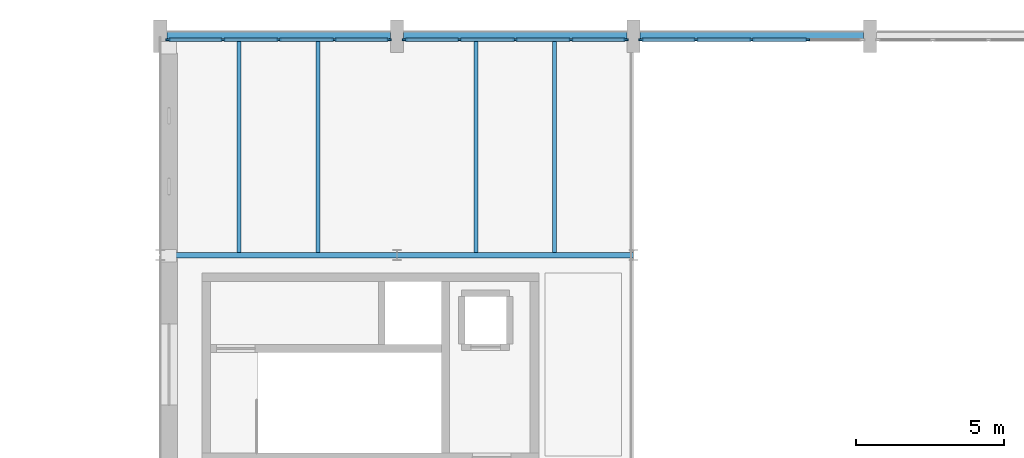
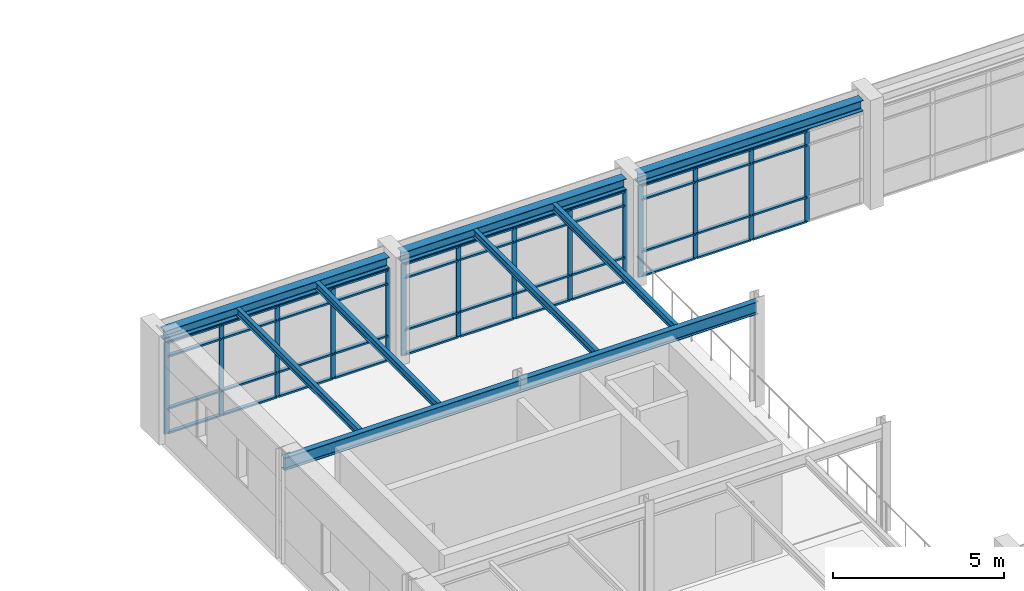
# One storey, part 20 of 45: 58 members, 9 beams, 3 elements without a shape of their own.
"""IFC4 building model written with IfcOpenShell, lengths in metres."""

from ifc_helpers import new_model, si_unit, direction, frame, origin, origin_2d, place, context, subcontext, project, spatial, rectangle, i_section, extrude, material, layer, layer_set, material_profile, profile_set, type_object, element, aggregate, save


model = new_model("IFC4")

# Units and contexts
model_context = context("Model", 3, precision=1e-05, world=origin(), true_north=direction((0.0, 1.0)))
body_context = subcontext(model_context, "Body", "Model", "MODEL_VIEW")
ifc_project = project(units=[si_unit("LENGTHUNIT", "METRE"), si_unit("AREAUNIT", "SQUARE_METRE"), si_unit("VOLUMEUNIT", "CUBIC_METRE"), si_unit("PLANEANGLEUNIT", "RADIAN"), si_unit("MASSUNIT", "GRAM", prefix="KILO")], contexts=[model_context])

# Site, building, storey
site_placement = place(None, origin())
site = spatial("IfcSite", under=ifc_project, at=site_placement, CompositionType="ELEMENT")
building_placement = place(site_placement, origin())
building = spatial("IfcBuilding", under=site, at=building_placement, Name="Valkorina Park Police Headquarters", CompositionType="ELEMENT")
storey_placement = place(building_placement, frame((0.0, 0.0, 23.300048828125)))
storey = spatial("IfcBuildingStorey", under=building, at=storey_placement, Name="L06", CompositionType="ELEMENT", Elevation=23.300048828125)

# Beams
ifc_material_1 = material(Name="Steel S355", Category="steel")
ifc_material_profile_1 = material_profile(ifc_material_1, i_section(OverallWidth=0.300048828125, OverallDepth=0.389892578125, WebThickness=0.010986328125, FlangeThickness=0.01904296875, FilletRadius=0.027099609375, at=origin_2d()), Name="HEA 400")
ifc_profile_set_1 = profile_set([ifc_material_profile_1], Name="Steel S355")
beam_type_1 = type_object("IfcBeamType", Name="BM-S355-HEA400-SPN", PredefinedType="SPANDREL", material=ifc_profile_set_1)
for number, where, z_axis, x_axis, name in (
    (1, (81.02490234375, 81.39990234375, 3.48486328125), (1.0, 0.0, 0.0), (0.0, 1.0, 0.0), "L06 Framing Beam 2649"),
    (2, (89.02490234375, 81.39990234375, 3.48486328125), (1.0, 0.0, 0.0), (0.0, 1.0, 0.0), "L06 Framing Beam 2650"),
    (3, (97.02490234375, 81.39990234375, 3.48486328125), (1.0, 0.0, 0.0), (0.0, 1.0, 0.0), "L06 Framing Beam 2651"),
):
    element("IfcBeam", number, at=place(storey_placement, frame(where, z_axis=z_axis, x_axis=x_axis)), inside=storey, type_object=beam_type_1, Name=name, PredefinedType="SPANDREL", context=body_context, shape_type="SweptSolid", body=[
        extrude(i_section(OverallWidth=0.300048828125, OverallDepth=0.389892578125, WebThickness=0.010986328125, FlangeThickness=0.01904296875, FilletRadius=0.027099609375, at=origin_2d()), origin(), (0.0, 0.0, 1.0), 7.550048828125),
    ])
ifc_material_profile_2 = material_profile(ifc_material_1, i_section(OverallWidth=0.135009765625, OverallDepth=0.27001953125, WebThickness=0.006591796875, FlangeThickness=0.01025390625, FilletRadius=0.014892578125, at=origin_2d()), Name="IPE 270")
ifc_profile_set_2 = profile_set([ifc_material_profile_2], Name="Steel S355")
beam_type_2 = type_object("IfcBeamType", Name="BM-S355-IPE270-JST", PredefinedType="JOIST", material=ifc_profile_set_2)
for number, where, z_axis, x_axis, name in (
    (4, (83.466796875, 74.094970703125, 3.544921875), (0.0, 1.0, 0.0), (-1.0, 0.0, 0.0), "L06 Framing Beam 2706"),
    (5, (86.13330078125, 74.094970703125, 3.544921875), (0.0, 1.0, 0.0), (-1.0, 0.0, 0.0), "L06 Framing Beam 2707"),
    (6, (91.466796875, 74.094970703125, 3.544921875), (0.0, 1.0, 0.0), (-1.0, 0.0, 0.0), "L06 Framing Beam 2719"),
    (7, (94.13330078125, 74.094970703125, 3.544921875), (0.0, 1.0, 0.0), (-1.0, 0.0, 0.0), "L06 Framing Beam 2720"),
):
    element("IfcBeam", number, at=place(storey_placement, frame(where, z_axis=z_axis, x_axis=x_axis)), inside=storey, type_object=beam_type_2, Name=name, PredefinedType="JOIST", context=body_context, shape_type="SweptSolid", body=[
        extrude(i_section(OverallWidth=0.135009765625, OverallDepth=0.27001953125, WebThickness=0.006591796875, FlangeThickness=0.01025390625, FilletRadius=0.014892578125, at=origin_2d()), origin(), (0.0, 0.0, 1.0), 7.155029296875),
    ])
ifc_material_profile_3 = material_profile(ifc_material_1, i_section(OverallWidth=0.18994140625, OverallDepth=0.449951171875, WebThickness=0.009521484375, FlangeThickness=0.0146484375, FilletRadius=0.02099609375, at=origin_2d()), Name="IPE 450")
ifc_profile_set_3 = profile_set([ifc_material_profile_3], Name="Steel S355")
beam_type_3 = type_object("IfcBeamType", Name="BM-S355-IPE450-BM", PredefinedType="BEAM", material=ifc_profile_set_3)
for number, where, z_axis, x_axis, name in (
    (8, (80.806396484375, 74.0, 3.454833984375), (1.0, 0.0, 0.0), (0.0, 1.0, 0.0), "L06 Framing Beam 2647"),
    (9, (88.806396484375, 74.0, 3.454833984375), (1.0, 0.0, 0.0), (0.0, 1.0, 0.0), "L06 Framing Beam 2648"),
):
    element("IfcBeam", number, at=place(storey_placement, frame(where, z_axis=z_axis, x_axis=x_axis)), inside=storey, type_object=beam_type_3, Name=name, PredefinedType="BEAM", context=body_context, shape_type="SweptSolid", body=[
        extrude(i_section(OverallWidth=0.18994140625, OverallDepth=0.449951171875, WebThickness=0.009521484375, FlangeThickness=0.0146484375, FilletRadius=0.02099609375, at=origin_2d()), origin(), (0.0, 0.0, 1.0), 7.9873046875),
    ])

# Curtain wall, members
ifc_material_2 = material(Name="Thermally broken aluminium AW-6060", Category="aluminium")
ifc_layer = layer(ifc_material_2, 0.18994140625)
ifc_layer_set = layer_set([ifc_layer], Name="Thermally broken aluminium AW-6060")
curtain_wall_type = type_object("IfcCurtainWallType", Name="CW-CMD-7530x3280", PredefinedType="NOTDEFINED", material=ifc_layer_set)
curtain_wall_1_placement = place(storey_placement, origin())
curtain_wall_1 = element("IfcCurtainWall", 10, at=curtain_wall_1_placement, inside=storey, type_object=curtain_wall_type, Name="L06 Unitised Curtain Wall 110", PredefinedType="NOTDEFINED")
ifc_material_profile_4 = material_profile(ifc_material_2, rectangle(XDim=0.06005859375, YDim=0.159912109375, at=origin_2d()), Name="CWM-01 60x160")
ifc_profile_set_4 = profile_set([ifc_material_profile_4], Name="Thermally broken aluminium AW-6060")
member_type_1 = type_object("IfcMemberType", Name="CWM-60x160", PredefinedType="MULLION", material=ifc_profile_set_4)
member_1_placement = place(storey_placement, frame((81.06494140625, 81.280029296875, 0.0), z_axis=(0.0, 0.0, 1.0), x_axis=(0.0, 1.0, 0.0)))
member_1 = element("IfcMember", 11, at=member_1_placement, type_object=member_type_1, Name="CW-CMD-753-328 mullion 1", PredefinedType="MULLION", context=body_context, shape_type="SweptSolid", body=[
    extrude(rectangle(XDim=0.06005859375, YDim=0.159912109375, at=origin_2d()), origin(), (0.0, 0.0, 1.0), 3.280029296875),
])
member_2_placement = place(storey_placement, frame((82.91748046875, 81.280029296875, 0.0), z_axis=(0.0, 0.0, 1.0), x_axis=(0.0, 1.0, 0.0)))
member_2 = element("IfcMember", 12, at=member_2_placement, type_object=member_type_1, Name="CW-CMD-753-328 mullion 2", PredefinedType="MULLION", context=body_context, shape_type="SweptSolid", body=[
    extrude(rectangle(XDim=0.06005859375, YDim=0.159912109375, at=origin_2d()), origin(), (0.0, 0.0, 1.0), 3.280029296875),
])
member_3_placement = place(storey_placement, frame((84.800048828125, 81.280029296875, 0.0), z_axis=(0.0, 0.0, 1.0), x_axis=(0.0, 1.0, 0.0)))
member_3 = element("IfcMember", 13, at=member_3_placement, type_object=member_type_1, Name="CW-CMD-753-328 mullion 3", PredefinedType="MULLION", context=body_context, shape_type="SweptSolid", body=[
    extrude(rectangle(XDim=0.06005859375, YDim=0.159912109375, at=origin_2d()), origin(), (0.0, 0.0, 1.0), 3.280029296875),
])
member_4_placement = place(storey_placement, frame((86.6826171875, 81.280029296875, 0.0), z_axis=(0.0, 0.0, 1.0), x_axis=(0.0, 1.0, 0.0)))
member_4 = element("IfcMember", 14, at=member_4_placement, type_object=member_type_1, Name="CW-CMD-753-328 mullion 4", PredefinedType="MULLION", context=body_context, shape_type="SweptSolid", body=[
    extrude(rectangle(XDim=0.06005859375, YDim=0.159912109375, at=origin_2d()), origin(), (0.0, 0.0, 1.0), 3.280029296875),
])
member_5_placement = place(storey_placement, frame((88.534912109375, 81.280029296875, 0.0), z_axis=(0.0, 0.0, 1.0), x_axis=(0.0, 1.0, 0.0)))
member_5 = element("IfcMember", 15, at=member_5_placement, type_object=member_type_1, Name="CW-CMD-753-328 mullion 5", PredefinedType="MULLION", context=body_context, shape_type="SweptSolid", body=[
    extrude(rectangle(XDim=0.06005859375, YDim=0.159912109375, at=origin_2d()), origin(), (0.0, 0.0, 1.0), 3.280029296875),
])

curtain_wall_2_placement = place(storey_placement, origin())
curtain_wall_2 = element("IfcCurtainWall", 16, at=curtain_wall_2_placement, inside=storey, type_object=curtain_wall_type, Name="L06 Unitised Curtain Wall 111", PredefinedType="NOTDEFINED")
member_6_placement = place(storey_placement, frame((89.06494140625, 81.280029296875, 0.0), z_axis=(0.0, 0.0, 1.0), x_axis=(0.0, 1.0, 0.0)))
member_6 = element("IfcMember", 17, at=member_6_placement, type_object=member_type_1, Name="CW-CMD-753-328 mullion 1", PredefinedType="MULLION", context=body_context, shape_type="SweptSolid", body=[
    extrude(rectangle(XDim=0.06005859375, YDim=0.159912109375, at=origin_2d()), origin(), (0.0, 0.0, 1.0), 3.280029296875),
])
member_7_placement = place(storey_placement, frame((90.91748046875, 81.280029296875, 0.0), z_axis=(0.0, 0.0, 1.0), x_axis=(0.0, 1.0, 0.0)))
member_7 = element("IfcMember", 18, at=member_7_placement, type_object=member_type_1, Name="CW-CMD-753-328 mullion 2", PredefinedType="MULLION", context=body_context, shape_type="SweptSolid", body=[
    extrude(rectangle(XDim=0.06005859375, YDim=0.159912109375, at=origin_2d()), origin(), (0.0, 0.0, 1.0), 3.280029296875),
])
member_8_placement = place(storey_placement, frame((92.800048828125, 81.280029296875, 0.0), z_axis=(0.0, 0.0, 1.0), x_axis=(0.0, 1.0, 0.0)))
member_8 = element("IfcMember", 19, at=member_8_placement, type_object=member_type_1, Name="CW-CMD-753-328 mullion 3", PredefinedType="MULLION", context=body_context, shape_type="SweptSolid", body=[
    extrude(rectangle(XDim=0.06005859375, YDim=0.159912109375, at=origin_2d()), origin(), (0.0, 0.0, 1.0), 3.280029296875),
])
member_9_placement = place(storey_placement, frame((94.6826171875, 81.280029296875, 0.0), z_axis=(0.0, 0.0, 1.0), x_axis=(0.0, 1.0, 0.0)))
member_9 = element("IfcMember", 20, at=member_9_placement, type_object=member_type_1, Name="CW-CMD-753-328 mullion 4", PredefinedType="MULLION", context=body_context, shape_type="SweptSolid", body=[
    extrude(rectangle(XDim=0.06005859375, YDim=0.159912109375, at=origin_2d()), origin(), (0.0, 0.0, 1.0), 3.280029296875),
])
member_10_placement = place(storey_placement, frame((96.534912109375, 81.280029296875, 0.0), z_axis=(0.0, 0.0, 1.0), x_axis=(0.0, 1.0, 0.0)))
member_10 = element("IfcMember", 21, at=member_10_placement, type_object=member_type_1, Name="CW-CMD-753-328 mullion 5", PredefinedType="MULLION", context=body_context, shape_type="SweptSolid", body=[
    extrude(rectangle(XDim=0.06005859375, YDim=0.159912109375, at=origin_2d()), origin(), (0.0, 0.0, 1.0), 3.280029296875),
])

curtain_wall_3_placement = place(storey_placement, origin())
curtain_wall_3 = element("IfcCurtainWall", 22, at=curtain_wall_3_placement, inside=storey, type_object=curtain_wall_type, Name="L06 Unitised Curtain Wall 112", PredefinedType="NOTDEFINED")
member_11_placement = place(storey_placement, frame((97.06494140625, 81.280029296875, 0.0), z_axis=(0.0, 0.0, 1.0), x_axis=(0.0, 1.0, 0.0)))
member_11 = element("IfcMember", 23, at=member_11_placement, type_object=member_type_1, Name="CW-CMD-753-328 mullion 1", PredefinedType="MULLION", context=body_context, shape_type="SweptSolid", body=[
    extrude(rectangle(XDim=0.06005859375, YDim=0.159912109375, at=origin_2d()), origin(), (0.0, 0.0, 1.0), 3.280029296875),
])
member_12_placement = place(storey_placement, frame((98.91748046875, 81.280029296875, 0.0), z_axis=(0.0, 0.0, 1.0), x_axis=(0.0, 1.0, 0.0)))
member_12 = element("IfcMember", 24, at=member_12_placement, type_object=member_type_1, Name="CW-CMD-753-328 mullion 2", PredefinedType="MULLION", context=body_context, shape_type="SweptSolid", body=[
    extrude(rectangle(XDim=0.06005859375, YDim=0.159912109375, at=origin_2d()), origin(), (0.0, 0.0, 1.0), 3.280029296875),
])
member_13_placement = place(storey_placement, frame((100.800048828125, 81.280029296875, 0.0), z_axis=(0.0, 0.0, 1.0), x_axis=(0.0, 1.0, 0.0)))
member_13 = element("IfcMember", 25, at=member_13_placement, type_object=member_type_1, Name="CW-CMD-753-328 mullion 3", PredefinedType="MULLION", context=body_context, shape_type="SweptSolid", body=[
    extrude(rectangle(XDim=0.06005859375, YDim=0.159912109375, at=origin_2d()), origin(), (0.0, 0.0, 1.0), 3.280029296875),
])
member_14_placement = place(storey_placement, frame((102.6826171875, 81.280029296875, 0.0), z_axis=(0.0, 0.0, 1.0), x_axis=(0.0, 1.0, 0.0)))
member_14 = element("IfcMember", 26, at=member_14_placement, type_object=member_type_1, Name="CW-CMD-753-328 mullion 4", PredefinedType="MULLION", context=body_context, shape_type="SweptSolid", body=[
    extrude(rectangle(XDim=0.06005859375, YDim=0.159912109375, at=origin_2d()), origin(), (0.0, 0.0, 1.0), 3.280029296875),
])

# Member
ifc_material_profile_5 = material_profile(ifc_material_2, rectangle(XDim=0.1201171875, YDim=0.06005859375, at=origin_2d()), Name="CWT-01 120x60")
ifc_profile_set_5 = profile_set([ifc_material_profile_5], Name="Thermally broken aluminium AW-6060")
member_type_2 = type_object("IfcMemberType", Name="CWT-120x60", PredefinedType="USERDEFINED", material=ifc_profile_set_5)
member_15_placement = place(storey_placement, frame((81.094970703125, 81.280029296875, 0.030029296875), z_axis=(1.0, 0.0, 0.0), x_axis=(0.0, 1.0, 0.0)))
member_15 = element("IfcMember", 27, at=member_15_placement, type_object=member_type_2, Name="CW-CMD-753-328 transom 1.1", ObjectType="TRANSOM", PredefinedType="USERDEFINED", context=body_context, shape_type="SweptSolid", body=[
    extrude(rectangle(XDim=0.1201171875, YDim=0.06005859375, at=origin_2d()), origin(), (0.0, 0.0, 1.0), 1.79248046875),
])

member_16_placement = place(storey_placement, frame((81.094970703125, 81.280029296875, 0.89990234375), z_axis=(1.0, 0.0, 0.0), x_axis=(0.0, 1.0, 0.0)))
member_16 = element("IfcMember", 28, at=member_16_placement, type_object=member_type_2, Name="CW-CMD-753-328 transom 1.2", ObjectType="TRANSOM", PredefinedType="USERDEFINED", context=body_context, shape_type="SweptSolid", body=[
    extrude(rectangle(XDim=0.1201171875, YDim=0.06005859375, at=origin_2d()), origin(), (0.0, 0.0, 1.0), 1.79248046875),
])

member_17_placement = place(storey_placement, frame((81.094970703125, 81.280029296875, 2.760009765625), z_axis=(1.0, 0.0, 0.0), x_axis=(0.0, 1.0, 0.0)))
member_17 = element("IfcMember", 29, at=member_17_placement, type_object=member_type_2, Name="CW-CMD-753-328 transom 1.3", ObjectType="TRANSOM", PredefinedType="USERDEFINED", context=body_context, shape_type="SweptSolid", body=[
    extrude(rectangle(XDim=0.1201171875, YDim=0.06005859375, at=origin_2d()), origin(), (0.0, 0.0, 1.0), 1.79248046875),
])

member_18_placement = place(storey_placement, frame((81.094970703125, 81.280029296875, 3.25), z_axis=(1.0, 0.0, 0.0), x_axis=(0.0, 1.0, 0.0)))
member_18 = element("IfcMember", 30, at=member_18_placement, type_object=member_type_2, Name="CW-CMD-753-328 transom 1.4", ObjectType="TRANSOM", PredefinedType="USERDEFINED", context=body_context, shape_type="SweptSolid", body=[
    extrude(rectangle(XDim=0.1201171875, YDim=0.06005859375, at=origin_2d()), origin(), (0.0, 0.0, 1.0), 1.79248046875),
])

member_19_placement = place(storey_placement, frame((82.947509765625, 81.280029296875, 0.030029296875), z_axis=(1.0, 0.0, 0.0), x_axis=(0.0, 1.0, 0.0)))
member_19 = element("IfcMember", 31, at=member_19_placement, type_object=member_type_2, Name="CW-CMD-753-328 transom 2.1", ObjectType="TRANSOM", PredefinedType="USERDEFINED", context=body_context, shape_type="SweptSolid", body=[
    extrude(rectangle(XDim=0.1201171875, YDim=0.06005859375, at=origin_2d()), origin(), (0.0, 0.0, 1.0), 1.822509765625),
])

member_20_placement = place(storey_placement, frame((82.947509765625, 81.280029296875, 0.89990234375), z_axis=(1.0, 0.0, 0.0), x_axis=(0.0, 1.0, 0.0)))
member_20 = element("IfcMember", 32, at=member_20_placement, type_object=member_type_2, Name="CW-CMD-753-328 transom 2.2", ObjectType="TRANSOM", PredefinedType="USERDEFINED", context=body_context, shape_type="SweptSolid", body=[
    extrude(rectangle(XDim=0.1201171875, YDim=0.06005859375, at=origin_2d()), origin(), (0.0, 0.0, 1.0), 1.822509765625),
])

member_21_placement = place(storey_placement, frame((82.947509765625, 81.280029296875, 2.760009765625), z_axis=(1.0, 0.0, 0.0), x_axis=(0.0, 1.0, 0.0)))
member_21 = element("IfcMember", 33, at=member_21_placement, type_object=member_type_2, Name="CW-CMD-753-328 transom 2.3", ObjectType="TRANSOM", PredefinedType="USERDEFINED", context=body_context, shape_type="SweptSolid", body=[
    extrude(rectangle(XDim=0.1201171875, YDim=0.06005859375, at=origin_2d()), origin(), (0.0, 0.0, 1.0), 1.822509765625),
])

member_22_placement = place(storey_placement, frame((82.947509765625, 81.280029296875, 3.25), z_axis=(1.0, 0.0, 0.0), x_axis=(0.0, 1.0, 0.0)))
member_22 = element("IfcMember", 34, at=member_22_placement, type_object=member_type_2, Name="CW-CMD-753-328 transom 2.4", ObjectType="TRANSOM", PredefinedType="USERDEFINED", context=body_context, shape_type="SweptSolid", body=[
    extrude(rectangle(XDim=0.1201171875, YDim=0.06005859375, at=origin_2d()), origin(), (0.0, 0.0, 1.0), 1.822509765625),
])

member_23_placement = place(storey_placement, frame((84.830078125, 81.280029296875, 0.030029296875), z_axis=(1.0, 0.0, 0.0), x_axis=(0.0, 1.0, 0.0)))
member_23 = element("IfcMember", 35, at=member_23_placement, type_object=member_type_2, Name="CW-CMD-753-328 transom 3.1", ObjectType="TRANSOM", PredefinedType="USERDEFINED", context=body_context, shape_type="SweptSolid", body=[
    extrude(rectangle(XDim=0.1201171875, YDim=0.06005859375, at=origin_2d()), origin(), (0.0, 0.0, 1.0), 1.822509765625),
])

member_24_placement = place(storey_placement, frame((84.830078125, 81.280029296875, 0.89990234375), z_axis=(1.0, 0.0, 0.0), x_axis=(0.0, 1.0, 0.0)))
member_24 = element("IfcMember", 36, at=member_24_placement, type_object=member_type_2, Name="CW-CMD-753-328 transom 3.2", ObjectType="TRANSOM", PredefinedType="USERDEFINED", context=body_context, shape_type="SweptSolid", body=[
    extrude(rectangle(XDim=0.1201171875, YDim=0.06005859375, at=origin_2d()), origin(), (0.0, 0.0, 1.0), 1.822509765625),
])

member_25_placement = place(storey_placement, frame((84.830078125, 81.280029296875, 2.760009765625), z_axis=(1.0, 0.0, 0.0), x_axis=(0.0, 1.0, 0.0)))
member_25 = element("IfcMember", 37, at=member_25_placement, type_object=member_type_2, Name="CW-CMD-753-328 transom 3.3", ObjectType="TRANSOM", PredefinedType="USERDEFINED", context=body_context, shape_type="SweptSolid", body=[
    extrude(rectangle(XDim=0.1201171875, YDim=0.06005859375, at=origin_2d()), origin(), (0.0, 0.0, 1.0), 1.822509765625),
])

member_26_placement = place(storey_placement, frame((84.830078125, 81.280029296875, 3.25), z_axis=(1.0, 0.0, 0.0), x_axis=(0.0, 1.0, 0.0)))
member_26 = element("IfcMember", 38, at=member_26_placement, type_object=member_type_2, Name="CW-CMD-753-328 transom 3.4", ObjectType="TRANSOM", PredefinedType="USERDEFINED", context=body_context, shape_type="SweptSolid", body=[
    extrude(rectangle(XDim=0.1201171875, YDim=0.06005859375, at=origin_2d()), origin(), (0.0, 0.0, 1.0), 1.822509765625),
])

member_27_placement = place(storey_placement, frame((86.71240234375, 81.280029296875, 0.030029296875), z_axis=(1.0, 0.0, 0.0), x_axis=(0.0, 1.0, 0.0)))
member_27 = element("IfcMember", 39, at=member_27_placement, type_object=member_type_2, Name="CW-CMD-753-328 transom 4.1", ObjectType="TRANSOM", PredefinedType="USERDEFINED", context=body_context, shape_type="SweptSolid", body=[
    extrude(rectangle(XDim=0.1201171875, YDim=0.06005859375, at=origin_2d()), origin(), (0.0, 0.0, 1.0), 1.79248046875),
])

member_28_placement = place(storey_placement, frame((86.71240234375, 81.280029296875, 0.89990234375), z_axis=(1.0, 0.0, 0.0), x_axis=(0.0, 1.0, 0.0)))
member_28 = element("IfcMember", 40, at=member_28_placement, type_object=member_type_2, Name="CW-CMD-753-328 transom 4.2", ObjectType="TRANSOM", PredefinedType="USERDEFINED", context=body_context, shape_type="SweptSolid", body=[
    extrude(rectangle(XDim=0.1201171875, YDim=0.06005859375, at=origin_2d()), origin(), (0.0, 0.0, 1.0), 1.79248046875),
])

member_29_placement = place(storey_placement, frame((86.71240234375, 81.280029296875, 2.760009765625), z_axis=(1.0, 0.0, 0.0), x_axis=(0.0, 1.0, 0.0)))
member_29 = element("IfcMember", 41, at=member_29_placement, type_object=member_type_2, Name="CW-CMD-753-328 transom 4.3", ObjectType="TRANSOM", PredefinedType="USERDEFINED", context=body_context, shape_type="SweptSolid", body=[
    extrude(rectangle(XDim=0.1201171875, YDim=0.06005859375, at=origin_2d()), origin(), (0.0, 0.0, 1.0), 1.79248046875),
])

member_30_placement = place(storey_placement, frame((86.71240234375, 81.280029296875, 3.25), z_axis=(1.0, 0.0, 0.0), x_axis=(0.0, 1.0, 0.0)))
member_30 = element("IfcMember", 42, at=member_30_placement, type_object=member_type_2, Name="CW-CMD-753-328 transom 4.4", ObjectType="TRANSOM", PredefinedType="USERDEFINED", context=body_context, shape_type="SweptSolid", body=[
    extrude(rectangle(XDim=0.1201171875, YDim=0.06005859375, at=origin_2d()), origin(), (0.0, 0.0, 1.0), 1.79248046875),
])

aggregate(curtain_wall_1, [member_1, member_2, member_3, member_4, member_5, member_15, member_16, member_17, member_18, member_19, member_20, member_21, member_22, member_23, member_24, member_25, member_26, member_27, member_28, member_29, member_30])

member_31_placement = place(storey_placement, frame((89.094970703125, 81.280029296875, 0.030029296875), z_axis=(1.0, 0.0, 0.0), x_axis=(0.0, 1.0, 0.0)))
member_31 = element("IfcMember", 43, at=member_31_placement, type_object=member_type_2, Name="CW-CMD-753-328 transom 1.1", ObjectType="TRANSOM", PredefinedType="USERDEFINED", context=body_context, shape_type="SweptSolid", body=[
    extrude(rectangle(XDim=0.1201171875, YDim=0.06005859375, at=origin_2d()), origin(), (0.0, 0.0, 1.0), 1.79248046875),
])

member_32_placement = place(storey_placement, frame((89.094970703125, 81.280029296875, 0.89990234375), z_axis=(1.0, 0.0, 0.0), x_axis=(0.0, 1.0, 0.0)))
member_32 = element("IfcMember", 44, at=member_32_placement, type_object=member_type_2, Name="CW-CMD-753-328 transom 1.2", ObjectType="TRANSOM", PredefinedType="USERDEFINED", context=body_context, shape_type="SweptSolid", body=[
    extrude(rectangle(XDim=0.1201171875, YDim=0.06005859375, at=origin_2d()), origin(), (0.0, 0.0, 1.0), 1.79248046875),
])

member_33_placement = place(storey_placement, frame((89.094970703125, 81.280029296875, 2.760009765625), z_axis=(1.0, 0.0, 0.0), x_axis=(0.0, 1.0, 0.0)))
member_33 = element("IfcMember", 45, at=member_33_placement, type_object=member_type_2, Name="CW-CMD-753-328 transom 1.3", ObjectType="TRANSOM", PredefinedType="USERDEFINED", context=body_context, shape_type="SweptSolid", body=[
    extrude(rectangle(XDim=0.1201171875, YDim=0.06005859375, at=origin_2d()), origin(), (0.0, 0.0, 1.0), 1.79248046875),
])

member_34_placement = place(storey_placement, frame((89.094970703125, 81.280029296875, 3.25), z_axis=(1.0, 0.0, 0.0), x_axis=(0.0, 1.0, 0.0)))
member_34 = element("IfcMember", 46, at=member_34_placement, type_object=member_type_2, Name="CW-CMD-753-328 transom 1.4", ObjectType="TRANSOM", PredefinedType="USERDEFINED", context=body_context, shape_type="SweptSolid", body=[
    extrude(rectangle(XDim=0.1201171875, YDim=0.06005859375, at=origin_2d()), origin(), (0.0, 0.0, 1.0), 1.79248046875),
])

member_35_placement = place(storey_placement, frame((90.947509765625, 81.280029296875, 0.030029296875), z_axis=(1.0, 0.0, 0.0), x_axis=(0.0, 1.0, 0.0)))
member_35 = element("IfcMember", 47, at=member_35_placement, type_object=member_type_2, Name="CW-CMD-753-328 transom 2.1", ObjectType="TRANSOM", PredefinedType="USERDEFINED", context=body_context, shape_type="SweptSolid", body=[
    extrude(rectangle(XDim=0.1201171875, YDim=0.06005859375, at=origin_2d()), origin(), (0.0, 0.0, 1.0), 1.822509765625),
])

member_36_placement = place(storey_placement, frame((90.947509765625, 81.280029296875, 0.89990234375), z_axis=(1.0, 0.0, 0.0), x_axis=(0.0, 1.0, 0.0)))
member_36 = element("IfcMember", 48, at=member_36_placement, type_object=member_type_2, Name="CW-CMD-753-328 transom 2.2", ObjectType="TRANSOM", PredefinedType="USERDEFINED", context=body_context, shape_type="SweptSolid", body=[
    extrude(rectangle(XDim=0.1201171875, YDim=0.06005859375, at=origin_2d()), origin(), (0.0, 0.0, 1.0), 1.822509765625),
])

member_37_placement = place(storey_placement, frame((90.947509765625, 81.280029296875, 2.760009765625), z_axis=(1.0, 0.0, 0.0), x_axis=(0.0, 1.0, 0.0)))
member_37 = element("IfcMember", 49, at=member_37_placement, type_object=member_type_2, Name="CW-CMD-753-328 transom 2.3", ObjectType="TRANSOM", PredefinedType="USERDEFINED", context=body_context, shape_type="SweptSolid", body=[
    extrude(rectangle(XDim=0.1201171875, YDim=0.06005859375, at=origin_2d()), origin(), (0.0, 0.0, 1.0), 1.822509765625),
])

member_38_placement = place(storey_placement, frame((90.947509765625, 81.280029296875, 3.25), z_axis=(1.0, 0.0, 0.0), x_axis=(0.0, 1.0, 0.0)))
member_38 = element("IfcMember", 50, at=member_38_placement, type_object=member_type_2, Name="CW-CMD-753-328 transom 2.4", ObjectType="TRANSOM", PredefinedType="USERDEFINED", context=body_context, shape_type="SweptSolid", body=[
    extrude(rectangle(XDim=0.1201171875, YDim=0.06005859375, at=origin_2d()), origin(), (0.0, 0.0, 1.0), 1.822509765625),
])

member_39_placement = place(storey_placement, frame((92.830078125, 81.280029296875, 0.030029296875), z_axis=(1.0, 0.0, 0.0), x_axis=(0.0, 1.0, 0.0)))
member_39 = element("IfcMember", 51, at=member_39_placement, type_object=member_type_2, Name="CW-CMD-753-328 transom 3.1", ObjectType="TRANSOM", PredefinedType="USERDEFINED", context=body_context, shape_type="SweptSolid", body=[
    extrude(rectangle(XDim=0.1201171875, YDim=0.06005859375, at=origin_2d()), origin(), (0.0, 0.0, 1.0), 1.822509765625),
])

member_40_placement = place(storey_placement, frame((92.830078125, 81.280029296875, 0.89990234375), z_axis=(1.0, 0.0, 0.0), x_axis=(0.0, 1.0, 0.0)))
member_40 = element("IfcMember", 52, at=member_40_placement, type_object=member_type_2, Name="CW-CMD-753-328 transom 3.2", ObjectType="TRANSOM", PredefinedType="USERDEFINED", context=body_context, shape_type="SweptSolid", body=[
    extrude(rectangle(XDim=0.1201171875, YDim=0.06005859375, at=origin_2d()), origin(), (0.0, 0.0, 1.0), 1.822509765625),
])

member_41_placement = place(storey_placement, frame((92.830078125, 81.280029296875, 2.760009765625), z_axis=(1.0, 0.0, 0.0), x_axis=(0.0, 1.0, 0.0)))
member_41 = element("IfcMember", 53, at=member_41_placement, type_object=member_type_2, Name="CW-CMD-753-328 transom 3.3", ObjectType="TRANSOM", PredefinedType="USERDEFINED", context=body_context, shape_type="SweptSolid", body=[
    extrude(rectangle(XDim=0.1201171875, YDim=0.06005859375, at=origin_2d()), origin(), (0.0, 0.0, 1.0), 1.822509765625),
])

member_42_placement = place(storey_placement, frame((92.830078125, 81.280029296875, 3.25), z_axis=(1.0, 0.0, 0.0), x_axis=(0.0, 1.0, 0.0)))
member_42 = element("IfcMember", 54, at=member_42_placement, type_object=member_type_2, Name="CW-CMD-753-328 transom 3.4", ObjectType="TRANSOM", PredefinedType="USERDEFINED", context=body_context, shape_type="SweptSolid", body=[
    extrude(rectangle(XDim=0.1201171875, YDim=0.06005859375, at=origin_2d()), origin(), (0.0, 0.0, 1.0), 1.822509765625),
])

member_43_placement = place(storey_placement, frame((94.71240234375, 81.280029296875, 0.030029296875), z_axis=(1.0, 0.0, 0.0), x_axis=(0.0, 1.0, 0.0)))
member_43 = element("IfcMember", 55, at=member_43_placement, type_object=member_type_2, Name="CW-CMD-753-328 transom 4.1", ObjectType="TRANSOM", PredefinedType="USERDEFINED", context=body_context, shape_type="SweptSolid", body=[
    extrude(rectangle(XDim=0.1201171875, YDim=0.06005859375, at=origin_2d()), origin(), (0.0, 0.0, 1.0), 1.79248046875),
])

member_44_placement = place(storey_placement, frame((94.71240234375, 81.280029296875, 0.89990234375), z_axis=(1.0, 0.0, 0.0), x_axis=(0.0, 1.0, 0.0)))
member_44 = element("IfcMember", 56, at=member_44_placement, type_object=member_type_2, Name="CW-CMD-753-328 transom 4.2", ObjectType="TRANSOM", PredefinedType="USERDEFINED", context=body_context, shape_type="SweptSolid", body=[
    extrude(rectangle(XDim=0.1201171875, YDim=0.06005859375, at=origin_2d()), origin(), (0.0, 0.0, 1.0), 1.79248046875),
])

member_45_placement = place(storey_placement, frame((94.71240234375, 81.280029296875, 2.760009765625), z_axis=(1.0, 0.0, 0.0), x_axis=(0.0, 1.0, 0.0)))
member_45 = element("IfcMember", 57, at=member_45_placement, type_object=member_type_2, Name="CW-CMD-753-328 transom 4.3", ObjectType="TRANSOM", PredefinedType="USERDEFINED", context=body_context, shape_type="SweptSolid", body=[
    extrude(rectangle(XDim=0.1201171875, YDim=0.06005859375, at=origin_2d()), origin(), (0.0, 0.0, 1.0), 1.79248046875),
])

member_46_placement = place(storey_placement, frame((94.71240234375, 81.280029296875, 3.25), z_axis=(1.0, 0.0, 0.0), x_axis=(0.0, 1.0, 0.0)))
member_46 = element("IfcMember", 58, at=member_46_placement, type_object=member_type_2, Name="CW-CMD-753-328 transom 4.4", ObjectType="TRANSOM", PredefinedType="USERDEFINED", context=body_context, shape_type="SweptSolid", body=[
    extrude(rectangle(XDim=0.1201171875, YDim=0.06005859375, at=origin_2d()), origin(), (0.0, 0.0, 1.0), 1.79248046875),
])

aggregate(curtain_wall_2, [member_6, member_7, member_8, member_9, member_10, member_31, member_32, member_33, member_34, member_35, member_36, member_37, member_38, member_39, member_40, member_41, member_42, member_43, member_44, member_45, member_46])

member_47_placement = place(storey_placement, frame((97.094970703125, 81.280029296875, 0.030029296875), z_axis=(1.0, 0.0, 0.0), x_axis=(0.0, 1.0, 0.0)))
member_47 = element("IfcMember", 59, at=member_47_placement, type_object=member_type_2, Name="CW-CMD-753-328 transom 1.1", ObjectType="TRANSOM", PredefinedType="USERDEFINED", context=body_context, shape_type="SweptSolid", body=[
    extrude(rectangle(XDim=0.1201171875, YDim=0.06005859375, at=origin_2d()), origin(), (0.0, 0.0, 1.0), 1.79248046875),
])

member_48_placement = place(storey_placement, frame((97.094970703125, 81.280029296875, 0.89990234375), z_axis=(1.0, 0.0, 0.0), x_axis=(0.0, 1.0, 0.0)))
member_48 = element("IfcMember", 60, at=member_48_placement, type_object=member_type_2, Name="CW-CMD-753-328 transom 1.2", ObjectType="TRANSOM", PredefinedType="USERDEFINED", context=body_context, shape_type="SweptSolid", body=[
    extrude(rectangle(XDim=0.1201171875, YDim=0.06005859375, at=origin_2d()), origin(), (0.0, 0.0, 1.0), 1.79248046875),
])

member_49_placement = place(storey_placement, frame((97.094970703125, 81.280029296875, 2.760009765625), z_axis=(1.0, 0.0, 0.0), x_axis=(0.0, 1.0, 0.0)))
member_49 = element("IfcMember", 61, at=member_49_placement, type_object=member_type_2, Name="CW-CMD-753-328 transom 1.3", ObjectType="TRANSOM", PredefinedType="USERDEFINED", context=body_context, shape_type="SweptSolid", body=[
    extrude(rectangle(XDim=0.1201171875, YDim=0.06005859375, at=origin_2d()), origin(), (0.0, 0.0, 1.0), 1.79248046875),
])

member_50_placement = place(storey_placement, frame((97.094970703125, 81.280029296875, 3.25), z_axis=(1.0, 0.0, 0.0), x_axis=(0.0, 1.0, 0.0)))
member_50 = element("IfcMember", 62, at=member_50_placement, type_object=member_type_2, Name="CW-CMD-753-328 transom 1.4", ObjectType="TRANSOM", PredefinedType="USERDEFINED", context=body_context, shape_type="SweptSolid", body=[
    extrude(rectangle(XDim=0.1201171875, YDim=0.06005859375, at=origin_2d()), origin(), (0.0, 0.0, 1.0), 1.79248046875),
])

member_51_placement = place(storey_placement, frame((98.947509765625, 81.280029296875, 0.030029296875), z_axis=(1.0, 0.0, 0.0), x_axis=(0.0, 1.0, 0.0)))
member_51 = element("IfcMember", 63, at=member_51_placement, type_object=member_type_2, Name="CW-CMD-753-328 transom 2.1", ObjectType="TRANSOM", PredefinedType="USERDEFINED", context=body_context, shape_type="SweptSolid", body=[
    extrude(rectangle(XDim=0.1201171875, YDim=0.06005859375, at=origin_2d()), origin(), (0.0, 0.0, 1.0), 1.822509765625),
])

member_52_placement = place(storey_placement, frame((98.947509765625, 81.280029296875, 0.89990234375), z_axis=(1.0, 0.0, 0.0), x_axis=(0.0, 1.0, 0.0)))
member_52 = element("IfcMember", 64, at=member_52_placement, type_object=member_type_2, Name="CW-CMD-753-328 transom 2.2", ObjectType="TRANSOM", PredefinedType="USERDEFINED", context=body_context, shape_type="SweptSolid", body=[
    extrude(rectangle(XDim=0.1201171875, YDim=0.06005859375, at=origin_2d()), origin(), (0.0, 0.0, 1.0), 1.822509765625),
])

member_53_placement = place(storey_placement, frame((98.947509765625, 81.280029296875, 2.760009765625), z_axis=(1.0, 0.0, 0.0), x_axis=(0.0, 1.0, 0.0)))
member_53 = element("IfcMember", 65, at=member_53_placement, type_object=member_type_2, Name="CW-CMD-753-328 transom 2.3", ObjectType="TRANSOM", PredefinedType="USERDEFINED", context=body_context, shape_type="SweptSolid", body=[
    extrude(rectangle(XDim=0.1201171875, YDim=0.06005859375, at=origin_2d()), origin(), (0.0, 0.0, 1.0), 1.822509765625),
])

member_54_placement = place(storey_placement, frame((98.947509765625, 81.280029296875, 3.25), z_axis=(1.0, 0.0, 0.0), x_axis=(0.0, 1.0, 0.0)))
member_54 = element("IfcMember", 66, at=member_54_placement, type_object=member_type_2, Name="CW-CMD-753-328 transom 2.4", ObjectType="TRANSOM", PredefinedType="USERDEFINED", context=body_context, shape_type="SweptSolid", body=[
    extrude(rectangle(XDim=0.1201171875, YDim=0.06005859375, at=origin_2d()), origin(), (0.0, 0.0, 1.0), 1.822509765625),
])

member_55_placement = place(storey_placement, frame((100.830078125, 81.280029296875, 0.030029296875), z_axis=(1.0, 0.0, 0.0), x_axis=(0.0, 1.0, 0.0)))
member_55 = element("IfcMember", 67, at=member_55_placement, type_object=member_type_2, Name="CW-CMD-753-328 transom 3.1", ObjectType="TRANSOM", PredefinedType="USERDEFINED", context=body_context, shape_type="SweptSolid", body=[
    extrude(rectangle(XDim=0.1201171875, YDim=0.06005859375, at=origin_2d()), origin(), (0.0, 0.0, 1.0), 1.822509765625),
])

member_56_placement = place(storey_placement, frame((100.830078125, 81.280029296875, 0.89990234375), z_axis=(1.0, 0.0, 0.0), x_axis=(0.0, 1.0, 0.0)))
member_56 = element("IfcMember", 68, at=member_56_placement, type_object=member_type_2, Name="CW-CMD-753-328 transom 3.2", ObjectType="TRANSOM", PredefinedType="USERDEFINED", context=body_context, shape_type="SweptSolid", body=[
    extrude(rectangle(XDim=0.1201171875, YDim=0.06005859375, at=origin_2d()), origin(), (0.0, 0.0, 1.0), 1.822509765625),
])

member_57_placement = place(storey_placement, frame((100.830078125, 81.280029296875, 2.760009765625), z_axis=(1.0, 0.0, 0.0), x_axis=(0.0, 1.0, 0.0)))
member_57 = element("IfcMember", 69, at=member_57_placement, type_object=member_type_2, Name="CW-CMD-753-328 transom 3.3", ObjectType="TRANSOM", PredefinedType="USERDEFINED", context=body_context, shape_type="SweptSolid", body=[
    extrude(rectangle(XDim=0.1201171875, YDim=0.06005859375, at=origin_2d()), origin(), (0.0, 0.0, 1.0), 1.822509765625),
])

member_58_placement = place(storey_placement, frame((100.830078125, 81.280029296875, 3.25), z_axis=(1.0, 0.0, 0.0), x_axis=(0.0, 1.0, 0.0)))
member_58 = element("IfcMember", 70, at=member_58_placement, type_object=member_type_2, Name="CW-CMD-753-328 transom 3.4", ObjectType="TRANSOM", PredefinedType="USERDEFINED", context=body_context, shape_type="SweptSolid", body=[
    extrude(rectangle(XDim=0.1201171875, YDim=0.06005859375, at=origin_2d()), origin(), (0.0, 0.0, 1.0), 1.822509765625),
])

aggregate(curtain_wall_3, [member_11, member_12, member_13, member_14, member_47, member_48, member_49, member_50, member_51, member_52, member_53, member_54, member_55, member_56, member_57, member_58])

save(model, "model.ifc")
